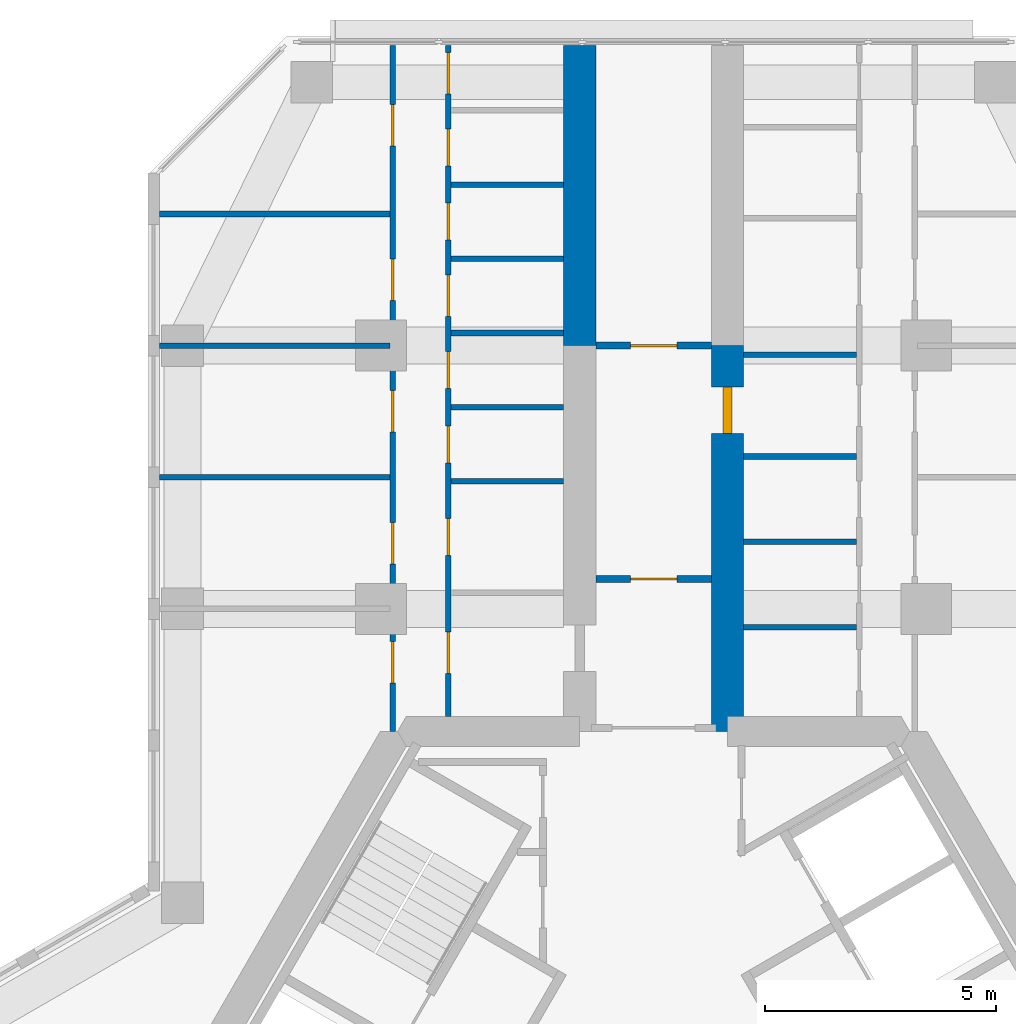
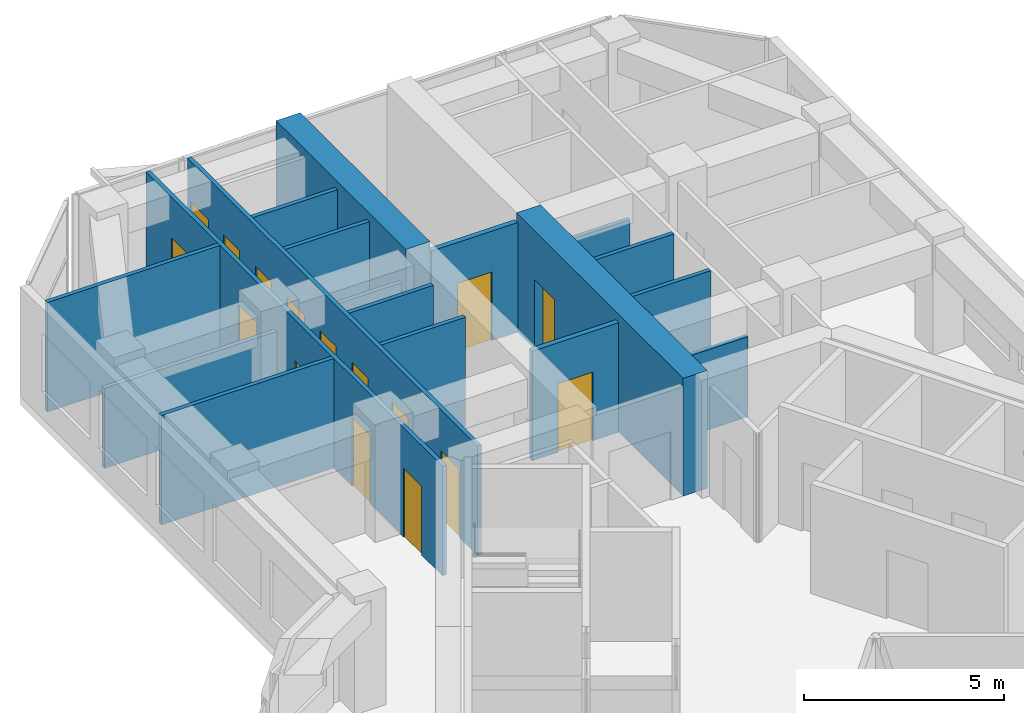
# One storey, part 14 of 16: 18 walls, 16 doors, 16 openings.
"""IFC4 building model written with IfcOpenShell, lengths in metres."""

import ifcopenshell
import ifcopenshell.guid

model = None  # the IFC model being written
_history = None  # IfcOwnerHistory: only IFC2X3 demands one
_inside = {}  # id of a spatial element -> (the spatial element, [elements in it])
_under = {}  # id of a project, library or spatial element -> (it, [spatial elements below it])
_declared = {}  # id of a project -> (the project, [libraries it declares])
_typed = {}  # id of a type object -> (the type object, [elements of that type])
_made_of = {}  # id of a material, layer set ... -> (it, [elements and type objects made of it])


def new_model(schema):
    """Start an empty IFC model of exactly this schema.

    Asked for "IFC4X3", IfcOpenShell would pick the latest addendum, in which some entities
    have other attributes; the version numbers below select the first issue.
    IFC2X3 requires an IfcOwnerHistory on every rooted entity: one is made here for all.
    """
    global model, _history
    if schema == "IFC4X3":
        model = ifcopenshell.file(schema_version=(4, 3, 0, 0))
    else:
        model = ifcopenshell.file(schema=schema)
    _inside.clear()
    _under.clear()
    _declared.clear()
    _typed.clear()
    _made_of.clear()
    _history = None
    if model.schema == "IFC2X3":
        org = make("IfcOrganization", Name="unknown")
        user = make(
            "IfcPersonAndOrganization",
            ThePerson=make("IfcPerson", FamilyName="unknown"),
            TheOrganization=org,
        )
        app = make(
            "IfcApplication",
            ApplicationDeveloper=org,
            Version="unknown",
            ApplicationFullName="unknown",
            ApplicationIdentifier="unknown",
        )
        _history = make(
            "IfcOwnerHistory",
            OwningUser=user,
            OwningApplication=app,
            ChangeAction="ADDED",
            CreationDate=0,
        )
    return model


def make(cls, **values):
    """One entity of the class cls with the attributes given. An attribute that is None is left unset."""
    return model.create_entity(
        cls, **{name: value for name, value in values.items() if value is not None}
    )


def rooted(cls, **values):
    """An entity with a GlobalId (a new one), such as an element, a storey or a relation."""
    return make(cls, GlobalId=ifcopenshell.guid.new(), OwnerHistory=_history, **values)


def si_unit(unit_type, name, prefix=None):
    """IfcSIUnit, for example si_unit("LENGTHUNIT", "METRE", prefix="MILLI")."""
    return make("IfcSIUnit", UnitType=unit_type, Prefix=prefix, Name=name)


def assignment(units):
    """IfcUnitAssignment: the units of a project."""
    return None if units is None else make("IfcUnitAssignment", Units=units)


def point(xyz):
    """IfcCartesianPoint."""
    return None if xyz is None else make("IfcCartesianPoint", Coordinates=xyz)


def direction(xyz):
    """IfcDirection."""
    return None if xyz is None else make("IfcDirection", DirectionRatios=xyz)


def frame(location, z_axis=None, x_axis=None):
    """IfcAxis2Placement3D, a coordinate frame: its origin and axes. An axis left out is left unset."""
    return make(
        "IfcAxis2Placement3D",
        Location=point(location),
        Axis=direction(z_axis),
        RefDirection=direction(x_axis),
    )


def frame_2d(location, x_axis=None):
    """IfcAxis2Placement2D, a coordinate frame in the plane: its origin and x axis."""
    return make(
        "IfcAxis2Placement2D", Location=point(location), RefDirection=direction(x_axis)
    )


def origin():
    """The frame at (0, 0, 0) with its axes left unset."""
    return frame((0.0, 0.0, 0.0))


def place(relative_to, where):
    """IfcLocalPlacement: puts the frame where relative to a parent placement (None: the world)."""
    return make(
        "IfcLocalPlacement", PlacementRelTo=relative_to, RelativePlacement=where
    )


def context(
    kind, dimensions, precision=None, world=None, true_north=None, identifier=None
):
    """IfcGeometricRepresentationContext, for example the 3D "Model" context."""
    return make(
        "IfcGeometricRepresentationContext",
        ContextIdentifier=identifier,
        ContextType=kind,
        CoordinateSpaceDimension=dimensions,
        Precision=precision,
        WorldCoordinateSystem=world,
        TrueNorth=true_north,
    )


def subcontext(parent, identifier, kind, view, scale=None):
    """IfcGeometricRepresentationSubContext, for example "Body" below "Model"."""
    return make(
        "IfcGeometricRepresentationSubContext",
        ContextIdentifier=identifier,
        ContextType=kind,
        ParentContext=parent,
        TargetScale=scale,
        TargetView=view,
    )


def project(units=None, contexts=None):
    """IfcProject with its units and contexts."""
    return rooted(
        "IfcProject",
        Name="project",
        RepresentationContexts=contexts,
        UnitsInContext=assignment(units),
    )


def spatial(cls, under=None, at=None, **own):
    """A site, building, storey or space (cls), placed at a placement, below another one or the project."""
    s = rooted(cls, ObjectPlacement=at, **own)
    if under is not None:
        _under.setdefault(under.id(), (under, []))[1].append(s)
    return s


def profile(cls, at=None, kind="AREA", **sizes):
    """A parametric profile (cls). Its sizes go by their IFC names, for example OverallWidth=200.0."""
    return make(cls, ProfileType=kind, Position=at, **sizes)


def rectangle(**sizes):
    """IfcRectangleProfileDef."""
    return profile("IfcRectangleProfileDef", **sizes)


def extrude(swept, where, along, depth):
    """IfcExtrudedAreaSolid: the profile swept, set in the frame where, extruded along a direction by depth."""
    return make(
        "IfcExtrudedAreaSolid",
        SweptArea=swept,
        Position=where,
        ExtrudedDirection=direction(along),
        Depth=depth,
    )


def shape(context_of_items, identifier, shape_type, items):
    """IfcShapeRepresentation: the items that make up one representation, for example the "Body"."""
    return make(
        "IfcShapeRepresentation",
        ContextOfItems=context_of_items,
        RepresentationIdentifier=identifier,
        RepresentationType=shape_type,
        Items=items,
    )


def material(Name=None, Category=None):
    """IfcMaterial."""
    return make("IfcMaterial", Name=Name, Category=Category)


def layer(
    of_material, thickness, ventilated=None, Name=None, Category=None, Priority=None
):
    """IfcMaterialLayer: one layer of a wall or slab, of a material (None: an air gap)."""
    return make(
        "IfcMaterialLayer",
        Material=of_material,
        LayerThickness=thickness,
        IsVentilated=ventilated,
        Name=Name,
        Category=Category,
        Priority=Priority,
    )


def layer_set(layers, Name=None):
    """IfcMaterialLayerSet."""
    return make("IfcMaterialLayerSet", MaterialLayers=layers, LayerSetName=Name)


def made_of(thing, what):
    """Note that an element or type object is made of a material, layer set ...; save() writes the relation."""
    if what is not None:
        _made_of.setdefault(what.id(), (what, []))[1].append(thing)
    return thing


def type_object(cls, material=None, **own):
    """A type object (cls), such as IfcWallType, which elements share."""
    return made_of(rooted(cls, **own), material)


def element(
    cls,
    number,
    at=None,
    inside=None,
    cuts=None,
    type_object=None,
    material=None,
    context=None,
    identifier="Body",
    shape_type=None,
    held_by="IfcProductDefinitionShape",
    body=None,
    shapes=None,
    **own,
):
    """One element of the class cls, such as IfcWall. Its Tag is "e" and its number.

    at: its placement. inside: the storey or other place that contains it. cuts: it is an
    opening in that element (IfcRelVoidsElement). A single representation is given by context,
    identifier, shape_type and body (its items); several are given by shapes. held_by: the class
    of the entity that holds the representations. save() writes the other relations.
    """
    e = rooted(cls, Tag="e%d" % number, ObjectPlacement=at, **own)
    if body is not None:
        shapes = [shape(context, identifier, shape_type, body)]
    if shapes is not None:
        e.Representation = make(held_by, Representations=shapes)
    if inside is not None:
        _inside.setdefault(inside.id(), (inside, []))[1].append(e)
    if cuts is not None:
        rooted(
            "IfcRelVoidsElement", RelatingBuildingElement=cuts, RelatedOpeningElement=e
        )
    if type_object is not None:
        _typed.setdefault(type_object.id(), (type_object, []))[1].append(e)
    return made_of(e, material)


def fill(opening, filler):
    """IfcRelFillsElement: the door or window that sits in an opening."""
    return rooted(
        "IfcRelFillsElement",
        RelatingOpeningElement=opening,
        RelatedBuildingElement=filler,
    )


def aggregate(whole, parts):
    """IfcRelAggregates: a whole, such as a stair, and the parts it consists of."""
    return rooted("IfcRelAggregates", RelatingObject=whole, RelatedObjects=parts)


def save(model, path):
    """Write the relations noted so far, then the file.

    IfcRelAggregates (storeys below a building ...), IfcRelContainedInSpatialStructure (elements
    in a storey), IfcRelDefinesByType, IfcRelAssociatesMaterial and IfcRelDeclares: one each for
    every whole, place, type object, material and project.
    """
    for whole, parts in _under.values():
        aggregate(whole, parts)
    for where, things in _inside.values():
        rooted(
            "IfcRelContainedInSpatialStructure",
            RelatedElements=things,
            RelatingStructure=where,
        )
    for kind, things in _typed.values():
        rooted("IfcRelDefinesByType", RelatedObjects=things, RelatingType=kind)
    for what, things in _made_of.values():
        rooted("IfcRelAssociatesMaterial", RelatedObjects=things, RelatingMaterial=what)
    for by, libraries in _declared.values():
        rooted("IfcRelDeclares", RelatingContext=by, RelatedDefinitions=libraries)
    model.write(path)


model = new_model("IFC4")

# Units and contexts
model_context = context("Model", 3, precision=1e-05, world=origin(), true_north=direction((0.0, 1.0)))
body_context = subcontext(model_context, "Body", "Model", "MODEL_VIEW")
ifc_project = project(units=[si_unit("LENGTHUNIT", "METRE"), si_unit("AREAUNIT", "SQUARE_METRE"), si_unit("VOLUMEUNIT", "CUBIC_METRE"), si_unit("PLANEANGLEUNIT", "RADIAN"), si_unit("MASSUNIT", "GRAM", prefix="KILO")], contexts=[model_context])

# Site, building, storey
site_placement = place(None, origin())
site = spatial("IfcSite", under=ifc_project, at=site_placement, CompositionType="ELEMENT")
building_placement = place(site_placement, origin())
building = spatial("IfcBuilding", under=site, at=building_placement, Name="Kosmar Iwan School Tower", CompositionType="ELEMENT")
storey_placement = place(building_placement, frame((0.0, 0.0, 222.60009765625)))
storey = spatial("IfcBuildingStorey", under=building, at=storey_placement, Name="L56", CompositionType="ELEMENT", Elevation=222.60009765625)

# Wall
ifc_material_1 = material(Name="Concrete C50/60", Category="concrete")
ifc_layer_1 = layer(ifc_material_1, 0.699951171875)
ifc_layer_set_1 = layer_set([ifc_layer_1], Name="Corridor buttress wall 700")
wall_type_1 = type_object("IfcWallType", Name="Corridor buttress wall 700", PredefinedType="SHEAR", material=ifc_layer_set_1)
wall_1_placement = place(storey_placement, frame((-1.60009765625, 17.949951171875, 0.0), z_axis=(0.0, 0.0, 1.0), x_axis=(0.0, 1.0, 0.0)))
element("IfcWall", 1, at=wall_1_placement, inside=storey, type_object=wall_type_1, Name="Corridor wall AL bay 2", PredefinedType="SHEAR", context=body_context, shape_type="SweptSolid", body=[
    extrude(rectangle(XDim=6.4951171875, YDim=0.699951171875, at=frame_2d((3.24755859375, 0.0))), origin(), (0.0, 0.0, 1.0), 3.599853515625),
])

# Wall, opening, door
wall_2_placement = place(storey_placement, frame((1.60009765625, 9.60009765625, 0.0), z_axis=(0.0, 0.0, 1.0), x_axis=(0.0, 1.0, 0.0)))
wall_2 = element("IfcWall", 2, at=wall_2_placement, inside=storey, type_object=wall_type_1, Name="Corridor wall AR", PredefinedType="SHEAR", context=body_context, shape_type="SweptSolid", body=[
    extrude(rectangle(XDim=8.349853515625, YDim=0.699951171875, at=frame_2d((4.1748046875, 0.0))), origin(), (0.0, 0.0, 1.0), 3.599853515625),
])
opening_1_placement = place(wall_2_placement, frame((6.449951171875, 0.0, 0.0)))
opening_1 = element("IfcOpeningElement", 3, at=opening_1_placement, cuts=wall_2, Name="Opening D1", PredefinedType="OPENING", context=body_context, shape_type="SweptSolid", body=[
    extrude(rectangle(XDim=1.0, YDim=2.10009765625, at=frame_2d((0.5, 1.050048828125))), frame((0.0, 0.362060546875, 0.0), z_axis=(0.0, -1.0, 0.0), x_axis=(1.0, 0.0, 0.0)), (0.0, 0.0, 1.0), 0.723876953125),
])
ifc_material_2 = material(Name="Timber fire door in steel frame", Category="steel")
door_type_1 = type_object("IfcDoorType", Name="Flat entrance door 1000x2100", OperationType="SINGLE_SWING_LEFT", PredefinedType="DOOR", material=ifc_material_2)
door_1_placement = place(opening_1_placement, origin())
door_1 = element("IfcDoor", 4, at=door_1_placement, inside=storey, type_object=door_type_1, Name="Flat L56-AR1 entrance door", OperationType="SINGLE_SWING_RIGHT", OverallHeight=2.10009765625, OverallWidth=1.0, PredefinedType="DOOR", context=body_context, shape_type="SweptSolid", body=[
    extrude(rectangle(XDim=1.0, YDim=2.10009765625, at=frame_2d((0.5, 1.050048828125))), frame((0.0, 0.10009765625, 0.0), z_axis=(0.0, -1.0, 0.0), x_axis=(1.0, 0.0, 0.0)), (0.0, 0.0, 1.0), 0.199951171875),
])
fill(opening_1, door_1)

ifc_material_3 = material(Name="Gypsum board on steel studs, fire-rated", Category="steel")
ifc_layer_2 = layer(ifc_material_3, 0.14990234375)
ifc_layer_set_2 = layer_set([ifc_layer_2], Name="Corridor end wall 150")
wall_type_2 = type_object("IfcWallType", Name="Corridor end wall 150", PredefinedType="PARTITIONING", material=ifc_layer_set_2)
wall_3_placement = place(storey_placement, frame((1.25, 17.949951171875, 0.0), z_axis=(0.0, 0.0, 1.0), x_axis=(-1.0, 0.0, 0.0)))
wall_3 = element("IfcWall", 5, at=wall_3_placement, inside=storey, type_object=wall_type_2, Name="Partition L56-A-CE", PredefinedType="PARTITIONING", context=body_context, shape_type="SweptSolid", body=[
    extrude(rectangle(XDim=2.5, YDim=0.14990234375, at=frame_2d((1.25, 0.0))), origin(), (0.0, 0.0, 1.0), 3.349853515625),
])
opening_2_placement = place(wall_3_placement, frame((0.75, 0.0, 0.0)))
opening_2 = element("IfcOpeningElement", 6, at=opening_2_placement, cuts=wall_3, Name="Opening D13", PredefinedType="OPENING", context=body_context, shape_type="SweptSolid", body=[
    extrude(rectangle(XDim=1.0, YDim=2.10009765625, at=frame_2d((0.5, 1.050048828125))), frame((0.0, 0.0869140625, 0.0), z_axis=(0.0, -1.0, 0.0), x_axis=(1.0, 0.0, 0.0)), (0.0, 0.0, 1.0), 0.173828125),
])
ifc_material_4 = material(Name="Timber fire door with vision panel", Category="wood")
door_type_2 = type_object("IfcDoorType", Name="Corridor end door 1000x2100", OperationType="SINGLE_SWING_LEFT", PredefinedType="DOOR", material=ifc_material_4)
door_2_placement = place(opening_2_placement, origin())
door_2 = element("IfcDoor", 7, at=door_2_placement, inside=storey, type_object=door_type_2, Name="Reading room door L56-A", OperationType="SINGLE_SWING_RIGHT", OverallHeight=2.10009765625, OverallWidth=1.0, PredefinedType="DOOR", context=body_context, shape_type="SweptSolid", body=[
    extrude(rectangle(XDim=1.0, YDim=2.10009765625, at=frame_2d((0.5, 1.050048828125))), frame((0.0, 0.02490234375, 0.0), z_axis=(0.0, -1.0, 0.0), x_axis=(1.0, 0.0, 0.0)), (0.0, 0.0, 1.0), 0.050048828125),
])
fill(opening_2, door_2)

wall_4_placement = place(storey_placement, frame((1.25, 12.89990234375, 0.0), z_axis=(0.0, 0.0, 1.0), x_axis=(-1.0, 0.0, 0.0)))
wall_4 = element("IfcWall", 8, at=wall_4_placement, inside=storey, type_object=wall_type_2, Name="Partition L56-A-HW", PredefinedType="PARTITIONING", context=body_context, shape_type="SweptSolid", body=[
    extrude(rectangle(XDim=2.5, YDim=0.14990234375, at=frame_2d((1.25, 0.0))), origin(), (0.0, 0.0, 1.0), 3.349853515625),
])
opening_3_placement = place(wall_4_placement, frame((0.75, 0.0, 0.0)))
opening_3 = element("IfcOpeningElement", 9, at=opening_3_placement, cuts=wall_4, Name="Opening D13", PredefinedType="OPENING", context=body_context, shape_type="SweptSolid", body=[
    extrude(rectangle(XDim=1.0, YDim=2.10009765625, at=frame_2d((0.5, 1.050048828125))), frame((0.0, 0.0869140625, 0.0), z_axis=(0.0, -1.0, 0.0), x_axis=(1.0, 0.0, 0.0)), (0.0, 0.0, 1.0), 0.173828125),
])
door_3_placement = place(opening_3_placement, origin())
door_3 = element("IfcDoor", 10, at=door_3_placement, inside=storey, type_object=door_type_2, Name="Entrance door L56-A", OperationType="SINGLE_SWING_LEFT", OverallHeight=2.10009765625, OverallWidth=1.0, PredefinedType="DOOR", context=body_context, shape_type="SweptSolid", body=[
    extrude(rectangle(XDim=1.0, YDim=2.10009765625, at=frame_2d((0.5, 1.050048828125))), frame((0.0, 0.02490234375, 0.0), z_axis=(0.0, -1.0, 0.0), x_axis=(1.0, 0.0, 0.0)), (0.0, 0.0, 1.0), 0.050048828125),
])
fill(opening_3, door_3)

# Wall, openings, doors
ifc_material_5 = material(Name="Gypsum board on steel studs", Category="steel")
ifc_layer_3 = layer(ifc_material_5, 0.1201171875)
ifc_layer_set_3 = layer_set([ifc_layer_3], Name="Dwelling partition 120")
wall_type_3 = type_object("IfcWallType", Name="Dwelling partition 120", PredefinedType="PARTITIONING", material=ifc_layer_set_3)
wall_5_placement = place(storey_placement, frame((-4.449951171875, 9.925048828125, 0.0), z_axis=(0.0, 0.0, 1.0), x_axis=(0.0, 1.0, 0.0)))
wall_5 = element("IfcWall", 11, at=wall_5_placement, inside=storey, type_object=wall_type_3, Name="Partition L56-AL1-W1", PredefinedType="PARTITIONING", context=body_context, shape_type="SweptSolid", body=[
    extrude(rectangle(XDim=14.52001953125, YDim=0.1201171875, at=frame_2d((7.260009765625, 0.0))), origin(), (0.0, 0.0, 1.0), 3.349853515625),
])
opening_4_placement = place(wall_5_placement, frame((0.925048828125, 0.0, 0.0)))
opening_4 = element("IfcOpeningElement", 12, at=opening_4_placement, cuts=wall_5, Name="Opening D2", PredefinedType="OPENING", context=body_context, shape_type="SweptSolid", body=[
    extrude(rectangle(XDim=0.89990234375, YDim=2.10009765625, at=frame_2d((0.449951171875, 1.050048828125))), frame((0.0, 0.072021484375, 0.0), z_axis=(0.0, -1.0, 0.0), x_axis=(1.0, 0.0, 0.0)), (0.0, 0.0, 1.0), 0.14404296875),
])
opening_5_placement = place(wall_5_placement, frame((3.47998046875, 0.0, 0.0)))
opening_5 = element("IfcOpeningElement", 13, at=opening_5_placement, cuts=wall_5, Name="Opening D3", PredefinedType="OPENING", context=body_context, shape_type="SweptSolid", body=[
    extrude(rectangle(XDim=0.800048828125, YDim=2.10009765625, at=frame_2d((0.39990234375, 1.050048828125))), frame((0.0, 0.072021484375, 0.0), z_axis=(0.0, -1.0, 0.0), x_axis=(1.0, 0.0, 0.0)), (0.0, 0.0, 1.0), 0.14404296875),
])
opening_6_placement = place(wall_5_placement, frame((5.48828125, 0.0, 0.0)))
opening_6 = element("IfcOpeningElement", 14, at=opening_6_placement, cuts=wall_5, Name="Opening D3", PredefinedType="OPENING", context=body_context, shape_type="SweptSolid", body=[
    extrude(rectangle(XDim=0.800048828125, YDim=2.10009765625, at=frame_2d((0.39990234375, 1.050048828125))), frame((0.0, 0.072021484375, 0.0), z_axis=(0.0, -1.0, 0.0), x_axis=(1.0, 0.0, 0.0)), (0.0, 0.0, 1.0), 0.14404296875),
])
opening_7_placement = place(wall_5_placement, frame((7.094970703125, 0.0, 0.0)))
opening_7 = element("IfcOpeningElement", 15, at=opening_7_placement, cuts=wall_5, Name="Opening D3", PredefinedType="OPENING", context=body_context, shape_type="SweptSolid", body=[
    extrude(rectangle(XDim=0.800048828125, YDim=2.10009765625, at=frame_2d((0.39990234375, 1.050048828125))), frame((0.0, 0.072021484375, 0.0), z_axis=(0.0, -1.0, 0.0), x_axis=(1.0, 0.0, 0.0)), (0.0, 0.0, 1.0), 0.14404296875),
])
opening_8_placement = place(wall_5_placement, frame((8.651611328125, 0.0, 0.0)))
opening_8 = element("IfcOpeningElement", 16, at=opening_8_placement, cuts=wall_5, Name="Opening D2", PredefinedType="OPENING", context=body_context, shape_type="SweptSolid", body=[
    extrude(rectangle(XDim=0.89990234375, YDim=2.10009765625, at=frame_2d((0.449951171875, 1.050048828125))), frame((0.0, 0.072021484375, 0.0), z_axis=(0.0, -1.0, 0.0), x_axis=(1.0, 0.0, 0.0)), (0.0, 0.0, 1.0), 0.14404296875),
])
opening_9_placement = place(wall_5_placement, frame((10.308349609375, 0.0, 0.0)))
opening_9 = element("IfcOpeningElement", 17, at=opening_9_placement, cuts=wall_5, Name="Opening D3", PredefinedType="OPENING", context=body_context, shape_type="SweptSolid", body=[
    extrude(rectangle(XDim=0.800048828125, YDim=2.10009765625, at=frame_2d((0.39990234375, 1.050048828125))), frame((0.0, 0.072021484375, 0.0), z_axis=(0.0, -1.0, 0.0), x_axis=(1.0, 0.0, 0.0)), (0.0, 0.0, 1.0), 0.14404296875),
])
opening_10_placement = place(wall_5_placement, frame((11.9150390625, 0.0, 0.0)))
opening_10 = element("IfcOpeningElement", 18, at=opening_10_placement, cuts=wall_5, Name="Opening D3", PredefinedType="OPENING", context=body_context, shape_type="SweptSolid", body=[
    extrude(rectangle(XDim=0.800048828125, YDim=2.10009765625, at=frame_2d((0.39990234375, 1.050048828125))), frame((0.0, 0.072021484375, 0.0), z_axis=(0.0, -1.0, 0.0), x_axis=(1.0, 0.0, 0.0)), (0.0, 0.0, 1.0), 0.14404296875),
])
opening_11_placement = place(wall_5_placement, frame((13.4716796875, 0.0, 0.0)))
opening_11 = element("IfcOpeningElement", 19, at=opening_11_placement, cuts=wall_5, Name="Opening D2", PredefinedType="OPENING", context=body_context, shape_type="SweptSolid", body=[
    extrude(rectangle(XDim=0.89990234375, YDim=2.10009765625, at=frame_2d((0.449951171875, 1.050048828125))), frame((0.0, 0.072021484375, 0.0), z_axis=(0.0, -1.0, 0.0), x_axis=(1.0, 0.0, 0.0)), (0.0, 0.0, 1.0), 0.14404296875),
])
ifc_material_6 = material(Name="Timber door in timber frame", Category="wood")
door_type_3 = type_object("IfcDoorType", Name="Internal door 900x2100", OperationType="SINGLE_SWING_LEFT", PredefinedType="DOOR", material=ifc_material_6)
door_4_placement = place(opening_4_placement, origin())
door_4 = element("IfcDoor", 20, at=door_4_placement, inside=storey, type_object=door_type_3, Name="Entrance hall door L56-AL1-S1", OperationType="SINGLE_SWING_LEFT", OverallHeight=2.10009765625, OverallWidth=0.89990234375, PredefinedType="DOOR", context=body_context, shape_type="SweptSolid", body=[
    extrude(rectangle(XDim=0.89990234375, YDim=2.10009765625, at=frame_2d((0.449951171875, 1.050048828125))), frame((0.0, 0.02490234375, 0.0), z_axis=(0.0, -1.0, 0.0), x_axis=(1.0, 0.0, 0.0)), (0.0, 0.0, 1.0), 0.050048828125),
])
fill(opening_4, door_4)
door_5_placement = place(opening_8_placement, origin())
door_5 = element("IfcDoor", 21, at=door_5_placement, inside=storey, type_object=door_type_3, Name="Pantry door L56-AL1-S5", OperationType="SINGLE_SWING_RIGHT", OverallHeight=2.10009765625, OverallWidth=0.89990234375, PredefinedType="DOOR", context=body_context, shape_type="SweptSolid", body=[
    extrude(rectangle(XDim=0.89990234375, YDim=2.10009765625, at=frame_2d((0.449951171875, 1.050048828125))), frame((0.0, 0.02490234375, 0.0), z_axis=(0.0, -1.0, 0.0), x_axis=(1.0, 0.0, 0.0)), (0.0, 0.0, 1.0), 0.050048828125),
])
fill(opening_8, door_5)
door_6_placement = place(opening_11_placement, origin())
door_6 = element("IfcDoor", 22, at=door_6_placement, inside=storey, type_object=door_type_3, Name="Utility room door L56-AL1-S8", OperationType="SINGLE_SWING_RIGHT", OverallHeight=2.10009765625, OverallWidth=0.89990234375, PredefinedType="DOOR", context=body_context, shape_type="SweptSolid", body=[
    extrude(rectangle(XDim=0.89990234375, YDim=2.10009765625, at=frame_2d((0.449951171875, 1.050048828125))), frame((0.0, 0.02490234375, 0.0), z_axis=(0.0, -1.0, 0.0), x_axis=(1.0, 0.0, 0.0)), (0.0, 0.0, 1.0), 0.050048828125),
])
fill(opening_11, door_6)
ifc_material_7 = material(Name="Timber door in timber frame", Category="wood")
door_type_4 = type_object("IfcDoorType", Name="Sanitary room door 800x2100", OperationType="SINGLE_SWING_LEFT", PredefinedType="DOOR", material=ifc_material_7)
door_7_placement = place(opening_5_placement, origin())
door_7 = element("IfcDoor", 23, at=door_7_placement, inside=storey, type_object=door_type_4, Name="Bathroom door L56-AL1-S2", OperationType="SINGLE_SWING_LEFT", OverallHeight=2.10009765625, OverallWidth=0.800048828125, PredefinedType="DOOR", context=body_context, shape_type="SweptSolid", body=[
    extrude(rectangle(XDim=0.800048828125, YDim=2.10009765625, at=frame_2d((0.39990234375, 1.050048828125))), frame((0.0, 0.02490234375, 0.0), z_axis=(0.0, -1.0, 0.0), x_axis=(1.0, 0.0, 0.0)), (0.0, 0.0, 1.0), 0.050048828125),
])
fill(opening_5, door_7)
door_8_placement = place(opening_6_placement, origin())
door_8 = element("IfcDoor", 24, at=door_8_placement, inside=storey, type_object=door_type_4, Name="Grandparents' shower room door L56-AL1-S3", OperationType="SINGLE_SWING_LEFT", OverallHeight=2.10009765625, OverallWidth=0.800048828125, PredefinedType="DOOR", context=body_context, shape_type="SweptSolid", body=[
    extrude(rectangle(XDim=0.800048828125, YDim=2.10009765625, at=frame_2d((0.39990234375, 1.050048828125))), frame((0.0, 0.02490234375, 0.0), z_axis=(0.0, -1.0, 0.0), x_axis=(1.0, 0.0, 0.0)), (0.0, 0.0, 1.0), 0.050048828125),
])
fill(opening_6, door_8)
door_9_placement = place(opening_7_placement, origin())
door_9 = element("IfcDoor", 25, at=door_9_placement, inside=storey, type_object=door_type_4, Name="Shower room door L56-AL1-S4", OperationType="SINGLE_SWING_RIGHT", OverallHeight=2.10009765625, OverallWidth=0.800048828125, PredefinedType="DOOR", context=body_context, shape_type="SweptSolid", body=[
    extrude(rectangle(XDim=0.800048828125, YDim=2.10009765625, at=frame_2d((0.39990234375, 1.050048828125))), frame((0.0, 0.02490234375, 0.0), z_axis=(0.0, -1.0, 0.0), x_axis=(1.0, 0.0, 0.0)), (0.0, 0.0, 1.0), 0.050048828125),
])
fill(opening_7, door_9)
door_10_placement = place(opening_9_placement, origin())
door_10 = element("IfcDoor", 26, at=door_10_placement, inside=storey, type_object=door_type_4, Name="WC door L56-AL1-S6", OperationType="SINGLE_SWING_RIGHT", OverallHeight=2.10009765625, OverallWidth=0.800048828125, PredefinedType="DOOR", context=body_context, shape_type="SweptSolid", body=[
    extrude(rectangle(XDim=0.800048828125, YDim=2.10009765625, at=frame_2d((0.39990234375, 1.050048828125))), frame((0.0, 0.02490234375, 0.0), z_axis=(0.0, -1.0, 0.0), x_axis=(1.0, 0.0, 0.0)), (0.0, 0.0, 1.0), 0.050048828125),
])
fill(opening_9, door_10)
door_11_placement = place(opening_10_placement, origin())
door_11 = element("IfcDoor", 27, at=door_11_placement, inside=storey, type_object=door_type_4, Name="Store door L56-AL1-S7", OperationType="SINGLE_SWING_RIGHT", OverallHeight=2.10009765625, OverallWidth=0.800048828125, PredefinedType="DOOR", context=body_context, shape_type="SweptSolid", body=[
    extrude(rectangle(XDim=0.800048828125, YDim=2.10009765625, at=frame_2d((0.39990234375, 1.050048828125))), frame((0.0, 0.02490234375, 0.0), z_axis=(0.0, -1.0, 0.0), x_axis=(1.0, 0.0, 0.0)), (0.0, 0.0, 1.0), 0.050048828125),
])
fill(opening_10, door_11)

wall_6_placement = place(storey_placement, frame((-5.64990234375, 9.60009765625, 0.0), z_axis=(0.0, 0.0, 1.0), x_axis=(0.0, 1.0, 0.0)))
wall_6 = element("IfcWall", 28, at=wall_6_placement, inside=storey, type_object=wall_type_3, Name="Partition L56-AL1-W2", PredefinedType="PARTITIONING", context=body_context, shape_type="SweptSolid", body=[
    extrude(rectangle(XDim=14.844970703125, YDim=0.1201171875, at=frame_2d((7.42236328125, 0.0))), origin(), (0.0, 0.0, 1.0), 3.349853515625),
])
opening_12_placement = place(wall_6_placement, frame((1.050048828125, 0.0, 0.0)))
opening_12 = element("IfcOpeningElement", 29, at=opening_12_placement, cuts=wall_6, Name="Opening D2", PredefinedType="OPENING", context=body_context, shape_type="SweptSolid", body=[
    extrude(rectangle(XDim=0.89990234375, YDim=2.10009765625, at=frame_2d((0.449951171875, 1.050048828125))), frame((0.0, 0.072021484375, 0.0), z_axis=(0.0, -1.0, 0.0), x_axis=(1.0, 0.0, 0.0)), (0.0, 0.0, 1.0), 0.14404296875),
])
opening_13_placement = place(wall_6_placement, frame((3.625, 0.0, 0.0)))
opening_13 = element("IfcOpeningElement", 30, at=opening_13_placement, cuts=wall_6, Name="Opening D2", PredefinedType="OPENING", context=body_context, shape_type="SweptSolid", body=[
    extrude(rectangle(XDim=0.89990234375, YDim=2.10009765625, at=frame_2d((0.449951171875, 1.050048828125))), frame((0.0, 0.072021484375, 0.0), z_axis=(0.0, -1.0, 0.0), x_axis=(1.0, 0.0, 0.0)), (0.0, 0.0, 1.0), 0.14404296875),
])
opening_14_placement = place(wall_6_placement, frame((6.47509765625, 0.0, 0.0)))
opening_14 = element("IfcOpeningElement", 31, at=opening_14_placement, cuts=wall_6, Name="Opening D2", PredefinedType="OPENING", context=body_context, shape_type="SweptSolid", body=[
    extrude(rectangle(XDim=0.89990234375, YDim=2.10009765625, at=frame_2d((0.449951171875, 1.050048828125))), frame((0.0, 0.072021484375, 0.0), z_axis=(0.0, -1.0, 0.0), x_axis=(1.0, 0.0, 0.0)), (0.0, 0.0, 1.0), 0.14404296875),
])
opening_15_placement = place(wall_6_placement, frame((9.324951171875, 0.0, 0.0)))
opening_15 = element("IfcOpeningElement", 32, at=opening_15_placement, cuts=wall_6, Name="Opening D2", PredefinedType="OPENING", context=body_context, shape_type="SweptSolid", body=[
    extrude(rectangle(XDim=0.89990234375, YDim=2.10009765625, at=frame_2d((0.449951171875, 1.050048828125))), frame((0.0, 0.072021484375, 0.0), z_axis=(0.0, -1.0, 0.0), x_axis=(1.0, 0.0, 0.0)), (0.0, 0.0, 1.0), 0.14404296875),
])
opening_16_placement = place(wall_6_placement, frame((12.675048828125, 0.0, 0.0)))
opening_16 = element("IfcOpeningElement", 33, at=opening_16_placement, cuts=wall_6, Name="Opening D2", PredefinedType="OPENING", context=body_context, shape_type="SweptSolid", body=[
    extrude(rectangle(XDim=0.89990234375, YDim=2.10009765625, at=frame_2d((0.449951171875, 1.050048828125))), frame((0.0, 0.072021484375, 0.0), z_axis=(0.0, -1.0, 0.0), x_axis=(1.0, 0.0, 0.0)), (0.0, 0.0, 1.0), 0.14404296875),
])
door_12_placement = place(opening_12_placement, origin())
door_12 = element("IfcDoor", 34, at=door_12_placement, inside=storey, type_object=door_type_3, Name="Family room and kitchen door L56-AL1-F1", OperationType="SINGLE_SWING_LEFT", OverallHeight=2.10009765625, OverallWidth=0.89990234375, PredefinedType="DOOR", context=body_context, shape_type="SweptSolid", body=[
    extrude(rectangle(XDim=0.89990234375, YDim=2.10009765625, at=frame_2d((0.449951171875, 1.050048828125))), frame((0.0, 0.02490234375, 0.0), z_axis=(0.0, -1.0, 0.0), x_axis=(1.0, 0.0, 0.0)), (0.0, 0.0, 1.0), 0.050048828125),
])
fill(opening_12, door_12)
door_13_placement = place(opening_13_placement, origin())
door_13 = element("IfcDoor", 35, at=door_13_placement, inside=storey, type_object=door_type_3, Name="Study door L56-AL1-F2", OperationType="SINGLE_SWING_LEFT", OverallHeight=2.10009765625, OverallWidth=0.89990234375, PredefinedType="DOOR", context=body_context, shape_type="SweptSolid", body=[
    extrude(rectangle(XDim=0.89990234375, YDim=2.10009765625, at=frame_2d((0.449951171875, 1.050048828125))), frame((0.0, 0.02490234375, 0.0), z_axis=(0.0, -1.0, 0.0), x_axis=(1.0, 0.0, 0.0)), (0.0, 0.0, 1.0), 0.050048828125),
])
fill(opening_13, door_13)
door_14_placement = place(opening_14_placement, origin())
door_14 = element("IfcDoor", 36, at=door_14_placement, inside=storey, type_object=door_type_3, Name="Bedroom 2 door L56-AL1-F3", OperationType="SINGLE_SWING_RIGHT", OverallHeight=2.10009765625, OverallWidth=0.89990234375, PredefinedType="DOOR", context=body_context, shape_type="SweptSolid", body=[
    extrude(rectangle(XDim=0.89990234375, YDim=2.10009765625, at=frame_2d((0.449951171875, 1.050048828125))), frame((0.0, 0.02490234375, 0.0), z_axis=(0.0, -1.0, 0.0), x_axis=(1.0, 0.0, 0.0)), (0.0, 0.0, 1.0), 0.050048828125),
])
fill(opening_14, door_14)
door_15_placement = place(opening_15_placement, origin())
door_15 = element("IfcDoor", 37, at=door_15_placement, inside=storey, type_object=door_type_3, Name="Bedroom 1 door L56-AL1-F4", OperationType="SINGLE_SWING_LEFT", OverallHeight=2.10009765625, OverallWidth=0.89990234375, PredefinedType="DOOR", context=body_context, shape_type="SweptSolid", body=[
    extrude(rectangle(XDim=0.89990234375, YDim=2.10009765625, at=frame_2d((0.449951171875, 1.050048828125))), frame((0.0, 0.02490234375, 0.0), z_axis=(0.0, -1.0, 0.0), x_axis=(1.0, 0.0, 0.0)), (0.0, 0.0, 1.0), 0.050048828125),
])
fill(opening_15, door_15)
door_16_placement = place(opening_16_placement, origin())
door_16 = element("IfcDoor", 38, at=door_16_placement, inside=storey, type_object=door_type_3, Name="Grandparents' suite door L56-AL1-F5", OperationType="SINGLE_SWING_RIGHT", OverallHeight=2.10009765625, OverallWidth=0.89990234375, PredefinedType="DOOR", context=body_context, shape_type="SweptSolid", body=[
    extrude(rectangle(XDim=0.89990234375, YDim=2.10009765625, at=frame_2d((0.449951171875, 1.050048828125))), frame((0.0, 0.02490234375, 0.0), z_axis=(0.0, -1.0, 0.0), x_axis=(1.0, 0.0, 0.0)), (0.0, 0.0, 1.0), 0.050048828125),
])
fill(opening_16, door_16)

# Walls
wall_7_placement = place(storey_placement, frame((-5.7099609375, 15.10009765625, 0.0), z_axis=(0.0, 0.0, 1.0), x_axis=(-1.0, 0.0, 0.0)))
element("IfcWall", 39, at=wall_7_placement, inside=storey, type_object=wall_type_3, Name="Partition L56-AL1-X2", PredefinedType="PARTITIONING", context=body_context, shape_type="SweptSolid", body=[
    extrude(rectangle(XDim=4.989990234375, YDim=0.1201171875, at=frame_2d((2.4951171875, 0.0))), origin(), (0.0, 0.0, 1.0), 3.349853515625),
])
wall_8_placement = place(storey_placement, frame((-5.7099609375, 17.949951171875, 0.0), z_axis=(0.0, 0.0, 1.0), x_axis=(-1.0, 0.0, 0.0)))
element("IfcWall", 40, at=wall_8_placement, inside=storey, type_object=wall_type_3, Name="Partition L56-AL1-X3", PredefinedType="PARTITIONING", context=body_context, shape_type="SweptSolid", body=[
    extrude(rectangle(XDim=4.989990234375, YDim=0.1201171875, at=frame_2d((2.4951171875, 0.0))), origin(), (0.0, 0.0, 1.0), 2.449951171875),
])
wall_9_placement = place(storey_placement, frame((-5.7099609375, 20.800048828125, 0.0), z_axis=(0.0, 0.0, 1.0), x_axis=(-1.0, 0.0, 0.0)))
element("IfcWall", 41, at=wall_9_placement, inside=storey, type_object=wall_type_3, Name="Partition L56-AL1-X4", PredefinedType="PARTITIONING", context=body_context, shape_type="SweptSolid", body=[
    extrude(rectangle(XDim=4.989990234375, YDim=0.1201171875, at=frame_2d((2.4951171875, 0.0))), origin(), (0.0, 0.0, 1.0), 3.349853515625),
])
for number, where, z_axis, x_axis, name in (
    (42, (-1.949951171875, 15.010009765625, 0.0), (0.0, 0.0, 1.0), (-1.0, 0.0, 0.0), "Partition L56-AL1-Y2"),
    (43, (-1.949951171875, 16.61669921875, 0.0), (0.0, 0.0, 1.0), (-1.0, 0.0, 0.0), "Partition L56-AL1-Y3"),
):
    element("IfcWall", number, at=place(storey_placement, frame(where, z_axis=z_axis, x_axis=x_axis)), inside=storey, type_object=wall_type_3, Name=name, PredefinedType="PARTITIONING", context=body_context, shape_type="SweptSolid", body=[
        extrude(rectangle(XDim=2.43994140625, YDim=0.1201171875, at=frame_2d((1.219970703125, 0.0))), origin(), (0.0, 0.0, 1.0), 3.349853515625),
    ])
wall_10_placement = place(storey_placement, frame((-1.949951171875, 18.223388671875, 0.0), z_axis=(0.0, 0.0, 1.0), x_axis=(-1.0, 0.0, 0.0)))
element("IfcWall", 44, at=wall_10_placement, inside=storey, type_object=wall_type_3, Name="Partition L56-AL1-Y4", PredefinedType="PARTITIONING", context=body_context, shape_type="SweptSolid", body=[
    extrude(rectangle(XDim=2.43994140625, YDim=0.1201171875, at=frame_2d((1.219970703125, 0.0))), origin(), (0.0, 0.0, 1.0), 2.449951171875),
])
for number, where, z_axis, x_axis, name in (
    (45, (-1.949951171875, 19.830078125, 0.0), (0.0, 0.0, 1.0), (-1.0, 0.0, 0.0), "Partition L56-AL1-Y5"),
    (46, (-1.949951171875, 21.436767578125, 0.0), (0.0, 0.0, 1.0), (-1.0, 0.0, 0.0), "Partition L56-AL1-Y6"),
):
    element("IfcWall", number, at=place(storey_placement, frame(where, z_axis=z_axis, x_axis=x_axis)), inside=storey, type_object=wall_type_3, Name=name, PredefinedType="PARTITIONING", context=body_context, shape_type="SweptSolid", body=[
        extrude(rectangle(XDim=2.43994140625, YDim=0.1201171875, at=frame_2d((1.219970703125, 0.0))), origin(), (0.0, 0.0, 1.0), 3.349853515625),
    ])
wall_11_placement = place(storey_placement, frame((1.949951171875, 11.85009765625, 0.0), z_axis=(0.0, 0.0, 1.0), x_axis=(1.0, 0.0, 0.0)))
element("IfcWall", 47, at=wall_11_placement, inside=storey, type_object=wall_type_3, Name="Partition L56-AR1-Y1", PredefinedType="PARTITIONING", context=body_context, shape_type="SweptSolid", body=[
    extrude(rectangle(XDim=2.43994140625, YDim=0.1201171875, at=frame_2d((1.219970703125, 0.0))), origin(), (0.0, 0.0, 1.0), 2.449951171875),
])
for number, where, z_axis, x_axis, name in (
    (48, (1.949951171875, 13.699951171875, 0.0), (0.0, 0.0, 1.0), (1.0, 0.0, 0.0), "Partition L56-AR1-Y2"),
    (49, (1.949951171875, 15.550048828125, 0.0), (0.0, 0.0, 1.0), (1.0, 0.0, 0.0), "Partition L56-AR1-Y3"),
):
    element("IfcWall", number, at=place(storey_placement, frame(where, z_axis=z_axis, x_axis=x_axis)), inside=storey, type_object=wall_type_3, Name=name, PredefinedType="PARTITIONING", context=body_context, shape_type="SweptSolid", body=[
        extrude(rectangle(XDim=2.43994140625, YDim=0.1201171875, at=frame_2d((1.219970703125, 0.0))), origin(), (0.0, 0.0, 1.0), 3.349853515625),
    ])
wall_12_placement = place(storey_placement, frame((1.949951171875, 17.75, 0.0), z_axis=(0.0, 0.0, 1.0), x_axis=(1.0, 0.0, 0.0)))
element("IfcWall", 50, at=wall_12_placement, inside=storey, type_object=wall_type_3, Name="Partition L56-AR1-Y4", PredefinedType="PARTITIONING", context=body_context, shape_type="SweptSolid", body=[
    extrude(rectangle(XDim=2.43994140625, YDim=0.1201171875, at=frame_2d((1.219970703125, 0.0))), origin(), (0.0, 0.0, 1.0), 2.449951171875),
])

save(model, "model.ifc")
